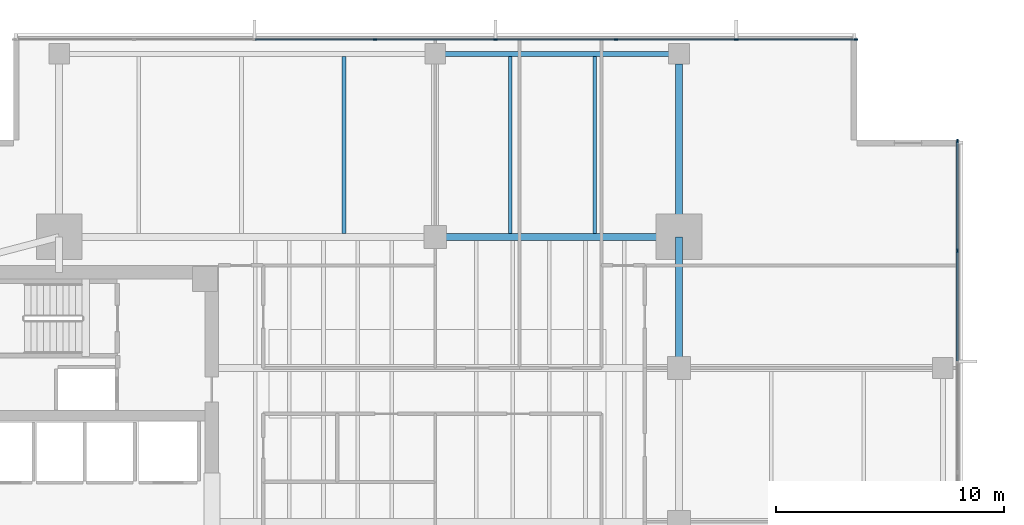
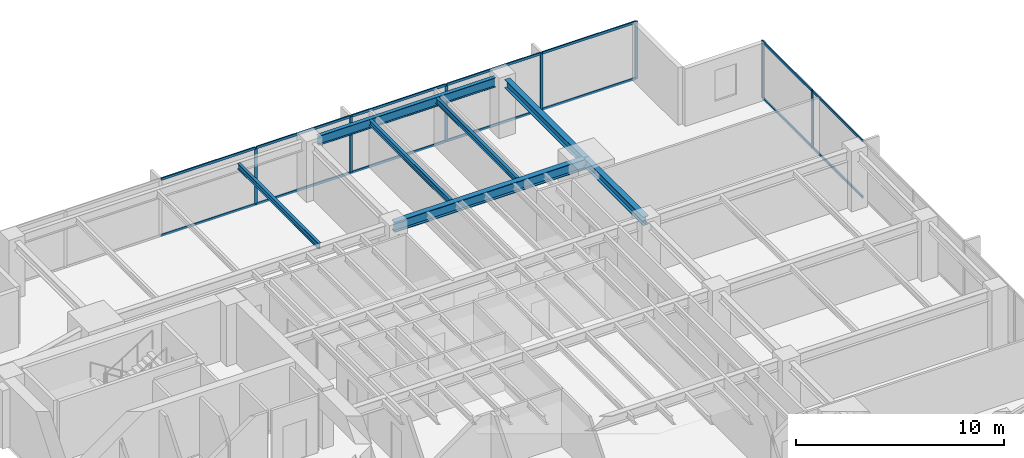
# One storey, part 6 of 14: 21 members, 7 beams, 2 elements without a shape of their own.
"""IFC4 building model written with IfcOpenShell, lengths in metres."""

from ifc_helpers import new_model, si_unit, direction, frame, origin, origin_2d, place, context, subcontext, project, spatial, rectangle, i_section, extrude, material, layer, layer_set, material_profile, profile_set, type_object, element, aggregate, save


model = new_model("IFC4")

# Units and contexts
model_context = context("Model", 3, precision=1e-05, world=origin(), true_north=direction((0.0, 1.0)))
body_context = subcontext(model_context, "Body", "Model", "MODEL_VIEW")
ifc_project = project(units=[si_unit("LENGTHUNIT", "METRE"), si_unit("AREAUNIT", "SQUARE_METRE"), si_unit("VOLUMEUNIT", "CUBIC_METRE"), si_unit("PLANEANGLEUNIT", "RADIAN"), si_unit("MASSUNIT", "GRAM", prefix="KILO")], contexts=[model_context])

# Site, building, storey
site_placement = place(None, origin())
site = spatial("IfcSite", under=ifc_project, at=site_placement, CompositionType="ELEMENT")
building_placement = place(site_placement, origin())
building = spatial("IfcBuilding", under=site, at=building_placement, Name="Kinhvarn Gate Tower", CompositionType="ELEMENT")
storey_placement = place(building_placement, frame((0.0, 0.0, 151.949951171875)))
storey = spatial("IfcBuildingStorey", under=building, at=storey_placement, Name="L40", CompositionType="ELEMENT", Elevation=151.949951171875)

# Curtain wall, members
ifc_material_1 = material(Name="Anodised aluminium AW-6063", Category="aluminium")
ifc_layer = layer(ifc_material_1, 0.179931640625)
ifc_layer_set = layer_set([ifc_layer], Name="Anodised aluminium AW-6063")
curtain_wall_type = type_object("IfcCurtainWallType", Name="CW-SYS-3", PredefinedType="NOTDEFINED", material=ifc_layer_set)
curtain_wall_1_placement = place(storey_placement, origin())
curtain_wall_1 = element("IfcCurtainWall", 1, at=curtain_wall_1_placement, inside=storey, type_object=curtain_wall_type, Name="Curtain Wall CW3 (L40)", PredefinedType="NOTDEFINED")
ifc_material_profile_1 = material_profile(ifc_material_1, rectangle(XDim=0.06494140625, YDim=0.159912109375, at=origin_2d()), Name="ALU 65x160")
ifc_profile_set_1 = profile_set([ifc_material_profile_1], Name="Anodised aluminium AW-6063")
member_type_1 = type_object("IfcMemberType", Name="CW-MUL-160", PredefinedType="MULLION", material=ifc_profile_set_1)
member_1_placement = place(storey_placement, frame((45.967529296875, 46.409912109375, 0.0), z_axis=(0.0, 0.0, 1.0), x_axis=(0.0, -1.0, 0.0)))
member_1 = element("IfcMember", 2, at=member_1_placement, type_object=member_type_1, Name="CW3 mullion 1", PredefinedType="MULLION", context=body_context, shape_type="SweptSolid", body=[
    extrude(rectangle(XDim=0.06494140625, YDim=0.159912109375, at=origin_2d()), origin(), (0.0, 0.0, 1.0), 3.3701171875),
])
member_2_placement = place(storey_placement, frame((40.71435546875, 46.409912109375, 0.0), z_axis=(0.0, 0.0, 1.0), x_axis=(0.0, -1.0, 0.0)))
member_2 = element("IfcMember", 3, at=member_2_placement, type_object=member_type_1, Name="CW3 mullion 2", PredefinedType="MULLION", context=body_context, shape_type="SweptSolid", body=[
    extrude(rectangle(XDim=0.06494140625, YDim=0.159912109375, at=origin_2d()), origin(), (0.0, 0.0, 1.0), 3.3701171875),
])
member_3_placement = place(storey_placement, frame((35.428466796875, 46.409912109375, 0.0), z_axis=(0.0, 0.0, 1.0), x_axis=(0.0, -1.0, 0.0)))
member_3 = element("IfcMember", 4, at=member_3_placement, type_object=member_type_1, Name="CW3 mullion 3", PredefinedType="MULLION", context=body_context, shape_type="SweptSolid", body=[
    extrude(rectangle(XDim=0.06494140625, YDim=0.159912109375, at=origin_2d()), origin(), (0.0, 0.0, 1.0), 3.3701171875),
])
member_4_placement = place(storey_placement, frame((30.142822265625, 46.409912109375, 0.0), z_axis=(0.0, 0.0, 1.0), x_axis=(0.0, -1.0, 0.0)))
member_4 = element("IfcMember", 5, at=member_4_placement, type_object=member_type_1, Name="CW3 mullion 4", PredefinedType="MULLION", context=body_context, shape_type="SweptSolid", body=[
    extrude(rectangle(XDim=0.06494140625, YDim=0.159912109375, at=origin_2d()), origin(), (0.0, 0.0, 1.0), 3.3701171875),
])
member_5_placement = place(storey_placement, frame((24.857177734375, 46.409912109375, 0.0), z_axis=(0.0, 0.0, 1.0), x_axis=(0.0, -1.0, 0.0)))
member_5 = element("IfcMember", 6, at=member_5_placement, type_object=member_type_1, Name="CW3 mullion 5", PredefinedType="MULLION", context=body_context, shape_type="SweptSolid", body=[
    extrude(rectangle(XDim=0.06494140625, YDim=0.159912109375, at=origin_2d()), origin(), (0.0, 0.0, 1.0), 3.3701171875),
])

curtain_wall_2_placement = place(storey_placement, origin())
curtain_wall_2 = element("IfcCurtainWall", 7, at=curtain_wall_2_placement, inside=storey, type_object=curtain_wall_type, Name="Curtain Wall CW3 (L40)", PredefinedType="NOTDEFINED")
member_6_placement = place(storey_placement, frame((50.409912109375, 37.142822265625, 0.0), z_axis=(0.0, 0.0, 1.0), x_axis=(-1.0, 0.0, 0.0)))
member_6 = element("IfcMember", 8, at=member_6_placement, type_object=member_type_1, Name="CW3 mullion 7", PredefinedType="MULLION", context=body_context, shape_type="SweptSolid", body=[
    extrude(rectangle(XDim=0.06494140625, YDim=0.159912109375, at=origin_2d()), origin(), (0.0, 0.0, 1.0), 3.3701171875),
])
member_7_placement = place(storey_placement, frame((50.409912109375, 41.967529296875, 0.0), z_axis=(0.0, 0.0, 1.0), x_axis=(-1.0, 0.0, 0.0)))
member_7 = element("IfcMember", 9, at=member_7_placement, type_object=member_type_1, Name="CW3 mullion 8", PredefinedType="MULLION", context=body_context, shape_type="SweptSolid", body=[
    extrude(rectangle(XDim=0.06494140625, YDim=0.159912109375, at=origin_2d()), origin(), (0.0, 0.0, 1.0), 3.3701171875),
])

# Member
ifc_material_profile_2 = material_profile(ifc_material_1, rectangle(XDim=0.070068359375, YDim=0.139892578125, at=origin_2d()), Name="ALU 70x140")
ifc_profile_set_2 = profile_set([ifc_material_profile_2], Name="Anodised aluminium AW-6063")
member_type_2 = type_object("IfcMemberType", Name="CW-TRN-140", PredefinedType="USERDEFINED", material=ifc_profile_set_2)
member_8_placement = place(storey_placement, frame((45.93505859375, 46.409912109375, 0.03515625), z_axis=(-1.0, 0.0, 0.0), x_axis=(0.0, -1.0, 0.0)))
member_8 = element("IfcMember", 10, at=member_8_placement, type_object=member_type_2, Name="CW3 transom 1.1", ObjectType="TRANSOM", PredefinedType="USERDEFINED", context=body_context, shape_type="SweptSolid", body=[
    extrude(rectangle(XDim=0.070068359375, YDim=0.139892578125, at=origin_2d()), origin(), (0.0, 0.0, 1.0), 5.188232421875),
])

member_9_placement = place(storey_placement, frame((45.93505859375, 46.409912109375, 3.3349609375), z_axis=(-1.0, 0.0, 0.0), x_axis=(0.0, -1.0, 0.0)))
member_9 = element("IfcMember", 11, at=member_9_placement, type_object=member_type_2, Name="CW3 transom 1.2", ObjectType="TRANSOM", PredefinedType="USERDEFINED", context=body_context, shape_type="SweptSolid", body=[
    extrude(rectangle(XDim=0.070068359375, YDim=0.139892578125, at=origin_2d()), origin(), (0.0, 0.0, 1.0), 5.188232421875),
])

member_10_placement = place(storey_placement, frame((40.681884765625, 46.409912109375, 0.03515625), z_axis=(-1.0, 0.0, 0.0), x_axis=(0.0, -1.0, 0.0)))
member_10 = element("IfcMember", 12, at=member_10_placement, type_object=member_type_2, Name="CW3 transom 2.1", ObjectType="TRANSOM", PredefinedType="USERDEFINED", context=body_context, shape_type="SweptSolid", body=[
    extrude(rectangle(XDim=0.070068359375, YDim=0.139892578125, at=origin_2d()), origin(), (0.0, 0.0, 1.0), 5.220703125),
])

member_11_placement = place(storey_placement, frame((40.681884765625, 46.409912109375, 3.3349609375), z_axis=(-1.0, 0.0, 0.0), x_axis=(0.0, -1.0, 0.0)))
member_11 = element("IfcMember", 13, at=member_11_placement, type_object=member_type_2, Name="CW3 transom 2.2", ObjectType="TRANSOM", PredefinedType="USERDEFINED", context=body_context, shape_type="SweptSolid", body=[
    extrude(rectangle(XDim=0.070068359375, YDim=0.139892578125, at=origin_2d()), origin(), (0.0, 0.0, 1.0), 5.220703125),
])

member_12_placement = place(storey_placement, frame((35.39599609375, 46.409912109375, 0.03515625), z_axis=(-1.0, 0.0, 0.0), x_axis=(0.0, -1.0, 0.0)))
member_12 = element("IfcMember", 14, at=member_12_placement, type_object=member_type_2, Name="CW3 transom 3.1", ObjectType="TRANSOM", PredefinedType="USERDEFINED", context=body_context, shape_type="SweptSolid", body=[
    extrude(rectangle(XDim=0.070068359375, YDim=0.139892578125, at=origin_2d()), origin(), (0.0, 0.0, 1.0), 5.220703125),
])

member_13_placement = place(storey_placement, frame((35.39599609375, 46.409912109375, 3.3349609375), z_axis=(-1.0, 0.0, 0.0), x_axis=(0.0, -1.0, 0.0)))
member_13 = element("IfcMember", 15, at=member_13_placement, type_object=member_type_2, Name="CW3 transom 3.2", ObjectType="TRANSOM", PredefinedType="USERDEFINED", context=body_context, shape_type="SweptSolid", body=[
    extrude(rectangle(XDim=0.070068359375, YDim=0.139892578125, at=origin_2d()), origin(), (0.0, 0.0, 1.0), 5.220703125),
])

member_14_placement = place(storey_placement, frame((30.1103515625, 46.409912109375, 0.03515625), z_axis=(-1.0, 0.0, 0.0), x_axis=(0.0, -1.0, 0.0)))
member_14 = element("IfcMember", 16, at=member_14_placement, type_object=member_type_2, Name="CW3 transom 4.1", ObjectType="TRANSOM", PredefinedType="USERDEFINED", context=body_context, shape_type="SweptSolid", body=[
    extrude(rectangle(XDim=0.070068359375, YDim=0.139892578125, at=origin_2d()), origin(), (0.0, 0.0, 1.0), 5.220703125),
])

member_15_placement = place(storey_placement, frame((30.1103515625, 46.409912109375, 3.3349609375), z_axis=(-1.0, 0.0, 0.0), x_axis=(0.0, -1.0, 0.0)))
member_15 = element("IfcMember", 17, at=member_15_placement, type_object=member_type_2, Name="CW3 transom 4.2", ObjectType="TRANSOM", PredefinedType="USERDEFINED", context=body_context, shape_type="SweptSolid", body=[
    extrude(rectangle(XDim=0.070068359375, YDim=0.139892578125, at=origin_2d()), origin(), (0.0, 0.0, 1.0), 5.220703125),
])

member_16_placement = place(storey_placement, frame((24.82470703125, 46.409912109375, 0.03515625), z_axis=(-1.0, 0.0, 0.0), x_axis=(0.0, -1.0, 0.0)))
member_16 = element("IfcMember", 18, at=member_16_placement, type_object=member_type_2, Name="CW3 transom 5.1", ObjectType="TRANSOM", PredefinedType="USERDEFINED", context=body_context, shape_type="SweptSolid", body=[
    extrude(rectangle(XDim=0.070068359375, YDim=0.139892578125, at=origin_2d()), origin(), (0.0, 0.0, 1.0), 5.220703125),
])

member_17_placement = place(storey_placement, frame((24.82470703125, 46.409912109375, 3.3349609375), z_axis=(-1.0, 0.0, 0.0), x_axis=(0.0, -1.0, 0.0)))
member_17 = element("IfcMember", 19, at=member_17_placement, type_object=member_type_2, Name="CW3 transom 5.2", ObjectType="TRANSOM", PredefinedType="USERDEFINED", context=body_context, shape_type="SweptSolid", body=[
    extrude(rectangle(XDim=0.070068359375, YDim=0.139892578125, at=origin_2d()), origin(), (0.0, 0.0, 1.0), 5.220703125),
])

aggregate(curtain_wall_1, [member_1, member_2, member_3, member_4, member_5, member_8, member_9, member_10, member_11, member_12, member_13, member_14, member_15, member_16, member_17])

member_18_placement = place(storey_placement, frame((50.409912109375, 32.318115234375, 0.03515625), z_axis=(0.0, 1.0, 0.0), x_axis=(-1.0, 0.0, 0.0)))
member_18 = element("IfcMember", 20, at=member_18_placement, type_object=member_type_2, Name="CW3 transom 6.1", ObjectType="TRANSOM", PredefinedType="USERDEFINED", context=body_context, shape_type="SweptSolid", body=[
    extrude(rectangle(XDim=0.070068359375, YDim=0.139892578125, at=origin_2d()), origin(), (0.0, 0.0, 1.0), 4.792236328125),
])

member_19_placement = place(storey_placement, frame((50.409912109375, 32.318115234375, 3.3349609375), z_axis=(0.0, 1.0, 0.0), x_axis=(-1.0, 0.0, 0.0)))
member_19 = element("IfcMember", 21, at=member_19_placement, type_object=member_type_2, Name="CW3 transom 6.2", ObjectType="TRANSOM", PredefinedType="USERDEFINED", context=body_context, shape_type="SweptSolid", body=[
    extrude(rectangle(XDim=0.070068359375, YDim=0.139892578125, at=origin_2d()), origin(), (0.0, 0.0, 1.0), 4.792236328125),
])

member_20_placement = place(storey_placement, frame((50.409912109375, 37.17529296875, 0.03515625), z_axis=(0.0, 1.0, 0.0), x_axis=(-1.0, 0.0, 0.0)))
member_20 = element("IfcMember", 22, at=member_20_placement, type_object=member_type_2, Name="CW3 transom 7.1", ObjectType="TRANSOM", PredefinedType="USERDEFINED", context=body_context, shape_type="SweptSolid", body=[
    extrude(rectangle(XDim=0.070068359375, YDim=0.139892578125, at=origin_2d()), origin(), (0.0, 0.0, 1.0), 4.759765625),
])

member_21_placement = place(storey_placement, frame((50.409912109375, 37.17529296875, 3.3349609375), z_axis=(0.0, 1.0, 0.0), x_axis=(-1.0, 0.0, 0.0)))
member_21 = element("IfcMember", 23, at=member_21_placement, type_object=member_type_2, Name="CW3 transom 7.2", ObjectType="TRANSOM", PredefinedType="USERDEFINED", context=body_context, shape_type="SweptSolid", body=[
    extrude(rectangle(XDim=0.070068359375, YDim=0.139892578125, at=origin_2d()), origin(), (0.0, 0.0, 1.0), 4.759765625),
])

aggregate(curtain_wall_2, [member_6, member_7, member_18, member_19, member_20, member_21])

# Beams
ifc_material_2 = material(Name="Steel S355", Category="steel")
ifc_material_profile_3 = material_profile(ifc_material_2, i_section(OverallWidth=0.300048828125, OverallDepth=0.5, WebThickness=0.014404296875, FlangeThickness=0.028076171875, at=origin_2d()), Name="HEB 500")
ifc_profile_set_3 = profile_set([ifc_material_profile_3], Name="Steel S355")
beam_type_1 = type_object("IfcBeamType", Name="STL-HEB500", PredefinedType="BEAM", material=ifc_profile_set_3)
beam_1_placement = place(storey_placement, frame((38.199951171875, 37.75, 3.1201171875), z_axis=(0.0, 1.0, 0.0), x_axis=(-1.0, 0.0, 0.0)))
element("IfcBeam", 24, at=beam_1_placement, inside=storey, type_object=beam_type_1, Name="Floor Beam PG-14 (L40 MCE-N)", PredefinedType="BEAM", context=body_context, shape_type="SweptSolid", body=[
    extrude(i_section(OverallWidth=0.300048828125, OverallDepth=0.5, WebThickness=0.014404296875, FlangeThickness=0.028076171875, at=origin_2d()), origin(), (0.0, 0.0, 1.0), 7.594970703125),
])
beam_2_placement = place(storey_placement, frame((38.199951171875, 32.0, 3.1201171875), z_axis=(0.0, 1.0, 0.0), x_axis=(-1.0, 0.0, 0.0)))
element("IfcBeam", 25, at=beam_2_placement, inside=storey, type_object=beam_type_1, Name="Floor Beam PG-14 (L40 MG-E-32)", PredefinedType="BEAM", context=body_context, shape_type="SweptSolid", body=[
    extrude(i_section(OverallWidth=0.300048828125, OverallDepth=0.5, WebThickness=0.014404296875, FlangeThickness=0.028076171875, at=origin_2d()), origin(), (0.0, 0.0, 1.0), 5.75),
])
ifc_material_profile_4 = material_profile(ifc_material_2, i_section(OverallWidth=0.300048828125, OverallDepth=0.60009765625, WebThickness=0.015380859375, FlangeThickness=0.030029296875, at=origin_2d()), Name="HEB 600")
ifc_profile_set_4 = profile_set([ifc_material_profile_4], Name="Steel S355")
beam_type_2 = type_object("IfcBeamType", Name="STL-HEB600", PredefinedType="BEAM", material=ifc_profile_set_4)
beam_3_placement = place(storey_placement, frame((27.5, 37.75, 3.070068359375), z_axis=(1.0, 0.0, 0.0), x_axis=(0.0, 1.0, 0.0)))
element("IfcBeam", 26, at=beam_3_placement, inside=storey, type_object=beam_type_2, Name="Floor Beam PG-16 (L40 MG-N2)", PredefinedType="BEAM", context=body_context, shape_type="SweptSolid", body=[
    extrude(i_section(OverallWidth=0.300048828125, OverallDepth=0.60009765625, WebThickness=0.015380859375, FlangeThickness=0.030029296875, at=origin_2d()), origin(), (0.0, 0.0, 1.0), 10.699951171875),
])
ifc_material_profile_5 = material_profile(ifc_material_2, i_section(OverallWidth=0.159912109375, OverallDepth=0.330078125, WebThickness=0.007568359375, FlangeThickness=0.011474609375, at=origin_2d()), Name="IPE 330")
ifc_profile_set_5 = profile_set([ifc_material_profile_5], Name="Steel S355")
beam_type_3 = type_object("IfcBeamType", Name="STL-IPE330", PredefinedType="JOIST", material=ifc_profile_set_5)
for number, where, z_axis, x_axis, name in (
    (27, (23.5, 37.89990234375, 3.205078125), (0.0, 1.0, 0.0), (-1.0, 0.0, 0.0), "Floor Joist SB-03 (L40 JN-X235)"),
    (28, (30.800048828125, 37.89990234375, 3.205078125), (0.0, 1.0, 0.0), (-1.0, 0.0, 0.0), "Floor Joist SB-03 (L40 JN-X308)"),
    (29, (34.5, 37.89990234375, 3.205078125), (0.0, 1.0, 0.0), (-1.0, 0.0, 0.0), "Floor Joist SB-03 (L40 JN-X345)"),
):
    element("IfcBeam", number, at=place(storey_placement, frame(where, z_axis=z_axis, x_axis=x_axis)), inside=storey, type_object=beam_type_3, Name=name, PredefinedType="JOIST", context=body_context, shape_type="SweptSolid", body=[
        extrude(i_section(OverallWidth=0.159912109375, OverallDepth=0.330078125, WebThickness=0.007568359375, FlangeThickness=0.011474609375, at=origin_2d()), origin(), (0.0, 0.0, 1.0), 7.775146484375),
    ])
ifc_material_profile_6 = material_profile(ifc_material_2, i_section(OverallWidth=0.2099609375, OverallDepth=0.550048828125, WebThickness=0.010986328125, FlangeThickness=0.01708984375, at=origin_2d()), Name="IPE 550")
ifc_profile_set_6 = profile_set([ifc_material_profile_6], Name="Steel S355")
beam_type_4 = type_object("IfcBeamType", Name="STL-IPE550", PredefinedType="SPANDREL", material=ifc_profile_set_6)
beam_4_placement = place(storey_placement, frame((27.93505859375, 45.780029296875, 3.094970703125), z_axis=(1.0, 0.0, 0.0), x_axis=(0.0, 1.0, 0.0)))
element("IfcBeam", 30, at=beam_4_placement, inside=storey, type_object=beam_type_4, Name="Floor Spandrel SB-08 (L40 SP-N2)", PredefinedType="SPANDREL", context=body_context, shape_type="SweptSolid", body=[
    extrude(i_section(OverallWidth=0.2099609375, OverallDepth=0.550048828125, WebThickness=0.010986328125, FlangeThickness=0.01708984375, at=origin_2d()), origin(), (0.0, 0.0, 1.0), 9.829833984375),
])

save(model, "model.ifc")
